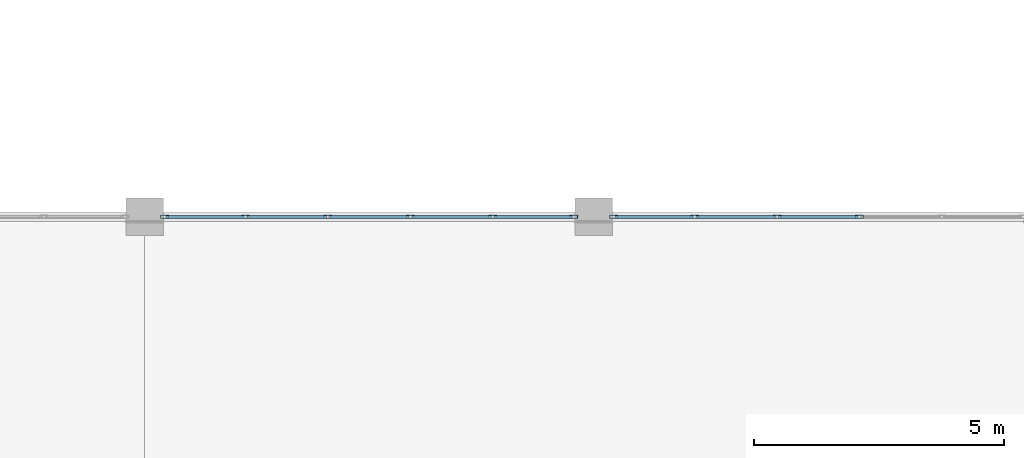
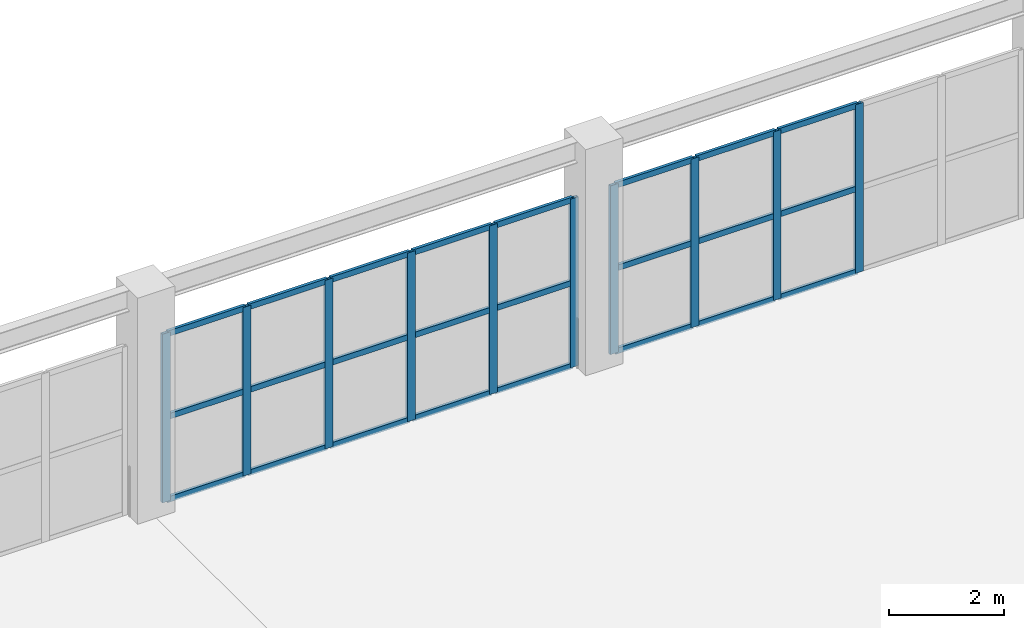
# One storey, part 47 of 89: 34 members, 2 elements without a shape of their own.
"""IFC4 building model written with IfcOpenShell, lengths in metres."""

from ifc_helpers import new_model, si_unit, direction, frame, origin, origin_2d, place, context, subcontext, project, spatial, hollow_rectangle, extrude, material, layer, layer_set, material_profile, profile_set, type_object, element, aggregate, save


model = new_model("IFC4")

# Units and contexts
model_context = context("Model", 3, precision=1e-05, world=origin(), true_north=direction((0.0, 1.0)))
body_context = subcontext(model_context, "Body", "Model", "MODEL_VIEW")
ifc_project = project(units=[si_unit("LENGTHUNIT", "METRE"), si_unit("AREAUNIT", "SQUARE_METRE"), si_unit("VOLUMEUNIT", "CUBIC_METRE"), si_unit("PLANEANGLEUNIT", "RADIAN"), si_unit("MASSUNIT", "GRAM", prefix="KILO")], contexts=[model_context])

# Site, building, storey
site_placement = place(None, origin())
site = spatial("IfcSite", under=ifc_project, at=site_placement, CompositionType="ELEMENT")
building_placement = place(site_placement, origin())
building = spatial("IfcBuilding", under=site, at=building_placement, Name="Dornveld Trade and Exhibition Forum", CompositionType="ELEMENT")
storey_placement = place(building_placement, frame((0.0, 0.0, 12.0)))
storey = spatial("IfcBuildingStorey", under=building, at=storey_placement, Name="L02", CompositionType="ELEMENT", Elevation=12.0)

# Curtain wall, members
ifc_material_1 = material(Name="Dark-bronze anodised aluminium and low-E glass", Category="aluminium")
ifc_layer_1 = layer(ifc_material_1, 0.166015625)
ifc_layer_set_1 = layer_set([ifc_layer_1], Name="Dark-bronze anodised aluminium and low-E glass")
curtain_wall_type_1 = type_object("IfcCurtainWallType", Name="CW-SYS-08", PredefinedType="USERDEFINED", material=ifc_layer_set_1)
curtain_wall_1_placement = place(storey_placement, origin())
curtain_wall_1 = element("IfcCurtainWall", 1, at=curtain_wall_1_placement, inside=storey, type_object=curtain_wall_type_1, Name="L02 unitised curtain wall 26", ObjectType="UNITISED_CURTAIN_WALL", PredefinedType="USERDEFINED")
ifc_material_2 = material(Name="Dark-bronze anodised aluminium", Category="aluminium")
ifc_material_profile_1 = material_profile(ifc_material_2, hollow_rectangle(XDim=0.06005859375, YDim=0.159912109375, WallThickness=0.00390625, at=origin_2d()), Name="RHS 160x60x4")
ifc_profile_set_1 = profile_set([ifc_material_profile_1], Name="Dark-bronze anodised aluminium")
member_type_1 = type_object("IfcMemberType", Name="CW-MUL-160", PredefinedType="MULLION", material=ifc_profile_set_1)
member_1_placement = place(storey_placement, frame((62.59912109375, 135.0, -0.00390625), z_axis=(0.0, 0.0, 1.0), x_axis=(0.0, -1.0, 0.0)))
member_1 = element("IfcMember", 2, at=member_1_placement, type_object=member_type_1, Name="CW-08 mullion 1", PredefinedType="MULLION", context=body_context, shape_type="SweptSolid", body=[
    extrude(hollow_rectangle(XDim=0.06005859375, YDim=0.159912109375, WallThickness=0.00390625, at=origin_2d()), origin(), (0.0, 0.0, 1.0), 3.583984375),
])
member_2_placement = place(storey_placement, frame((60.977294921875, 135.0, -0.00390625), z_axis=(0.0, 0.0, 1.0), x_axis=(0.0, -1.0, 0.0)))
member_2 = element("IfcMember", 3, at=member_2_placement, type_object=member_type_1, Name="CW-08 mullion 2", PredefinedType="MULLION", context=body_context, shape_type="SweptSolid", body=[
    extrude(hollow_rectangle(XDim=0.06005859375, YDim=0.159912109375, WallThickness=0.00390625, at=origin_2d()), origin(), (0.0, 0.0, 1.0), 3.583984375),
])
member_3_placement = place(storey_placement, frame((59.32568359375, 135.0, -0.00390625), z_axis=(0.0, 0.0, 1.0), x_axis=(0.0, -1.0, 0.0)))
member_3 = element("IfcMember", 4, at=member_3_placement, type_object=member_type_1, Name="CW-08 mullion 3", PredefinedType="MULLION", context=body_context, shape_type="SweptSolid", body=[
    extrude(hollow_rectangle(XDim=0.06005859375, YDim=0.159912109375, WallThickness=0.00390625, at=origin_2d()), origin(), (0.0, 0.0, 1.0), 3.583984375),
])
member_4_placement = place(storey_placement, frame((57.67431640625, 135.0, -0.00390625), z_axis=(0.0, 0.0, 1.0), x_axis=(0.0, -1.0, 0.0)))
member_4 = element("IfcMember", 5, at=member_4_placement, type_object=member_type_1, Name="CW-08 mullion 4", PredefinedType="MULLION", context=body_context, shape_type="SweptSolid", body=[
    extrude(hollow_rectangle(XDim=0.06005859375, YDim=0.159912109375, WallThickness=0.00390625, at=origin_2d()), origin(), (0.0, 0.0, 1.0), 3.583984375),
])
member_5_placement = place(storey_placement, frame((56.022705078125, 135.0, -0.00390625), z_axis=(0.0, 0.0, 1.0), x_axis=(0.0, -1.0, 0.0)))
member_5 = element("IfcMember", 6, at=member_5_placement, type_object=member_type_1, Name="CW-08 mullion 5", PredefinedType="MULLION", context=body_context, shape_type="SweptSolid", body=[
    extrude(hollow_rectangle(XDim=0.06005859375, YDim=0.159912109375, WallThickness=0.00390625, at=origin_2d()), origin(), (0.0, 0.0, 1.0), 3.583984375),
])
member_6_placement = place(storey_placement, frame((54.40087890625, 135.0, -0.00390625), z_axis=(0.0, 0.0, 1.0), x_axis=(0.0, -1.0, 0.0)))
member_6 = element("IfcMember", 7, at=member_6_placement, type_object=member_type_1, Name="CW-08 mullion 6", PredefinedType="MULLION", context=body_context, shape_type="SweptSolid", body=[
    extrude(hollow_rectangle(XDim=0.06005859375, YDim=0.159912109375, WallThickness=0.00390625, at=origin_2d()), origin(), (0.0, 0.0, 1.0), 3.583984375),
])

ifc_material_3 = material(Name="Dark-bronze anodised aluminium and low-E glass", Category="aluminium")
ifc_layer_2 = layer(ifc_material_3, 0.172119140625)
ifc_layer_set_2 = layer_set([ifc_layer_2], Name="Dark-bronze anodised aluminium and low-E glass")
curtain_wall_type_2 = type_object("IfcCurtainWallType", Name="CW-SYS-10", PredefinedType="USERDEFINED", material=ifc_layer_set_2)
curtain_wall_2_placement = place(storey_placement, origin())
curtain_wall_2 = element("IfcCurtainWall", 8, at=curtain_wall_2_placement, inside=storey, type_object=curtain_wall_type_2, Name="L02 unitised curtain wall 28", ObjectType="UNITISED_CURTAIN_WALL", PredefinedType="USERDEFINED")
member_7_placement = place(storey_placement, frame((68.32568359375, 135.0, -0.00390625), z_axis=(0.0, 0.0, 1.0), x_axis=(0.0, -1.0, 0.0)))
member_7 = element("IfcMember", 9, at=member_7_placement, type_object=member_type_1, Name="CW-10 mullion 3", PredefinedType="MULLION", context=body_context, shape_type="SweptSolid", body=[
    extrude(hollow_rectangle(XDim=0.06005859375, YDim=0.159912109375, WallThickness=0.00390625, at=origin_2d()), origin(), (0.0, 0.0, 1.0), 3.583984375),
])
member_8_placement = place(storey_placement, frame((66.67431640625, 135.0, -0.00390625), z_axis=(0.0, 0.0, 1.0), x_axis=(0.0, -1.0, 0.0)))
member_8 = element("IfcMember", 10, at=member_8_placement, type_object=member_type_1, Name="CW-10 mullion 4", PredefinedType="MULLION", context=body_context, shape_type="SweptSolid", body=[
    extrude(hollow_rectangle(XDim=0.06005859375, YDim=0.159912109375, WallThickness=0.00390625, at=origin_2d()), origin(), (0.0, 0.0, 1.0), 3.583984375),
])
member_9_placement = place(storey_placement, frame((65.022705078125, 135.0, -0.00390625), z_axis=(0.0, 0.0, 1.0), x_axis=(0.0, -1.0, 0.0)))
member_9 = element("IfcMember", 11, at=member_9_placement, type_object=member_type_1, Name="CW-10 mullion 5", PredefinedType="MULLION", context=body_context, shape_type="SweptSolid", body=[
    extrude(hollow_rectangle(XDim=0.06005859375, YDim=0.159912109375, WallThickness=0.00390625, at=origin_2d()), origin(), (0.0, 0.0, 1.0), 3.583984375),
])
member_10_placement = place(storey_placement, frame((63.40087890625, 135.0, -0.00390625), z_axis=(0.0, 0.0, 1.0), x_axis=(0.0, -1.0, 0.0)))
member_10 = element("IfcMember", 12, at=member_10_placement, type_object=member_type_1, Name="CW-10 mullion 6", PredefinedType="MULLION", context=body_context, shape_type="SweptSolid", body=[
    extrude(hollow_rectangle(XDim=0.06005859375, YDim=0.159912109375, WallThickness=0.00390625, at=origin_2d()), origin(), (0.0, 0.0, 1.0), 3.583984375),
])

# Member
ifc_material_4 = material(Name="Dark-bronze anodised aluminium", Category="aluminium")
ifc_material_profile_2 = material_profile(ifc_material_4, hollow_rectangle(XDim=0.06005859375, YDim=0.1201171875, WallThickness=0.00390625, at=origin_2d()), Name="RHS 120x60x4")
ifc_profile_set_2 = profile_set([ifc_material_profile_2], Name="Dark-bronze anodised aluminium")
member_type_2 = type_object("IfcMemberType", Name="CW-TRN-120", PredefinedType="USERDEFINED", material=ifc_profile_set_2)
member_11_placement = place(storey_placement, frame((62.569091796875, 135.0, 0.02587890625), z_axis=(-1.0, 0.0, 0.0), x_axis=(0.0, -1.0, 0.0)))
member_11 = element("IfcMember", 13, at=member_11_placement, type_object=member_type_2, Name="CW-08 transom 1.1", ObjectType="TRANSOM", PredefinedType="USERDEFINED", context=body_context, shape_type="SweptSolid", body=[
    extrude(hollow_rectangle(XDim=0.06005859375, YDim=0.1201171875, WallThickness=0.00390625, at=origin_2d()), origin(), (0.0, 0.0, 1.0), 1.561767578125),
])

member_12_placement = place(storey_placement, frame((62.569091796875, 135.0, 1.7880859375), z_axis=(-1.0, 0.0, 0.0), x_axis=(0.0, -1.0, 0.0)))
member_12 = element("IfcMember", 14, at=member_12_placement, type_object=member_type_2, Name="CW-08 transom 1.2", ObjectType="TRANSOM", PredefinedType="USERDEFINED", context=body_context, shape_type="SweptSolid", body=[
    extrude(hollow_rectangle(XDim=0.06005859375, YDim=0.1201171875, WallThickness=0.00390625, at=origin_2d()), origin(), (0.0, 0.0, 1.0), 1.561767578125),
])

member_13_placement = place(storey_placement, frame((62.569091796875, 135.0, 3.550048828125), z_axis=(-1.0, 0.0, 0.0), x_axis=(0.0, -1.0, 0.0)))
member_13 = element("IfcMember", 15, at=member_13_placement, type_object=member_type_2, Name="CW-08 transom 1.3", ObjectType="TRANSOM", PredefinedType="USERDEFINED", context=body_context, shape_type="SweptSolid", body=[
    extrude(hollow_rectangle(XDim=0.06005859375, YDim=0.1201171875, WallThickness=0.00390625, at=origin_2d()), origin(), (0.0, 0.0, 1.0), 1.561767578125),
])

member_14_placement = place(storey_placement, frame((60.947509765625, 135.0, 0.02587890625), z_axis=(-1.0, 0.0, 0.0), x_axis=(0.0, -1.0, 0.0)))
member_14 = element("IfcMember", 16, at=member_14_placement, type_object=member_type_2, Name="CW-08 transom 2.1", ObjectType="TRANSOM", PredefinedType="USERDEFINED", context=body_context, shape_type="SweptSolid", body=[
    extrude(hollow_rectangle(XDim=0.06005859375, YDim=0.1201171875, WallThickness=0.00390625, at=origin_2d()), origin(), (0.0, 0.0, 1.0), 1.591796875),
])

member_15_placement = place(storey_placement, frame((60.947509765625, 135.0, 1.7880859375), z_axis=(-1.0, 0.0, 0.0), x_axis=(0.0, -1.0, 0.0)))
member_15 = element("IfcMember", 17, at=member_15_placement, type_object=member_type_2, Name="CW-08 transom 2.2", ObjectType="TRANSOM", PredefinedType="USERDEFINED", context=body_context, shape_type="SweptSolid", body=[
    extrude(hollow_rectangle(XDim=0.06005859375, YDim=0.1201171875, WallThickness=0.00390625, at=origin_2d()), origin(), (0.0, 0.0, 1.0), 1.591796875),
])

member_16_placement = place(storey_placement, frame((60.947509765625, 135.0, 3.550048828125), z_axis=(-1.0, 0.0, 0.0), x_axis=(0.0, -1.0, 0.0)))
member_16 = element("IfcMember", 18, at=member_16_placement, type_object=member_type_2, Name="CW-08 transom 2.3", ObjectType="TRANSOM", PredefinedType="USERDEFINED", context=body_context, shape_type="SweptSolid", body=[
    extrude(hollow_rectangle(XDim=0.06005859375, YDim=0.1201171875, WallThickness=0.00390625, at=origin_2d()), origin(), (0.0, 0.0, 1.0), 1.591796875),
])

member_17_placement = place(storey_placement, frame((59.2958984375, 135.0, 0.02587890625), z_axis=(-1.0, 0.0, 0.0), x_axis=(0.0, -1.0, 0.0)))
member_17 = element("IfcMember", 19, at=member_17_placement, type_object=member_type_2, Name="CW-08 transom 3.1", ObjectType="TRANSOM", PredefinedType="USERDEFINED", context=body_context, shape_type="SweptSolid", body=[
    extrude(hollow_rectangle(XDim=0.06005859375, YDim=0.1201171875, WallThickness=0.00390625, at=origin_2d()), origin(), (0.0, 0.0, 1.0), 1.591796875),
])

member_18_placement = place(storey_placement, frame((59.2958984375, 135.0, 1.7880859375), z_axis=(-1.0, 0.0, 0.0), x_axis=(0.0, -1.0, 0.0)))
member_18 = element("IfcMember", 20, at=member_18_placement, type_object=member_type_2, Name="CW-08 transom 3.2", ObjectType="TRANSOM", PredefinedType="USERDEFINED", context=body_context, shape_type="SweptSolid", body=[
    extrude(hollow_rectangle(XDim=0.06005859375, YDim=0.1201171875, WallThickness=0.00390625, at=origin_2d()), origin(), (0.0, 0.0, 1.0), 1.591796875),
])

member_19_placement = place(storey_placement, frame((59.2958984375, 135.0, 3.550048828125), z_axis=(-1.0, 0.0, 0.0), x_axis=(0.0, -1.0, 0.0)))
member_19 = element("IfcMember", 21, at=member_19_placement, type_object=member_type_2, Name="CW-08 transom 3.3", ObjectType="TRANSOM", PredefinedType="USERDEFINED", context=body_context, shape_type="SweptSolid", body=[
    extrude(hollow_rectangle(XDim=0.06005859375, YDim=0.1201171875, WallThickness=0.00390625, at=origin_2d()), origin(), (0.0, 0.0, 1.0), 1.591796875),
])

member_20_placement = place(storey_placement, frame((57.644287109375, 135.0, 0.02587890625), z_axis=(-1.0, 0.0, 0.0), x_axis=(0.0, -1.0, 0.0)))
member_20 = element("IfcMember", 22, at=member_20_placement, type_object=member_type_2, Name="CW-08 transom 4.1", ObjectType="TRANSOM", PredefinedType="USERDEFINED", context=body_context, shape_type="SweptSolid", body=[
    extrude(hollow_rectangle(XDim=0.06005859375, YDim=0.1201171875, WallThickness=0.00390625, at=origin_2d()), origin(), (0.0, 0.0, 1.0), 1.591796875),
])

member_21_placement = place(storey_placement, frame((57.644287109375, 135.0, 1.7880859375), z_axis=(-1.0, 0.0, 0.0), x_axis=(0.0, -1.0, 0.0)))
member_21 = element("IfcMember", 23, at=member_21_placement, type_object=member_type_2, Name="CW-08 transom 4.2", ObjectType="TRANSOM", PredefinedType="USERDEFINED", context=body_context, shape_type="SweptSolid", body=[
    extrude(hollow_rectangle(XDim=0.06005859375, YDim=0.1201171875, WallThickness=0.00390625, at=origin_2d()), origin(), (0.0, 0.0, 1.0), 1.591796875),
])

member_22_placement = place(storey_placement, frame((57.644287109375, 135.0, 3.550048828125), z_axis=(-1.0, 0.0, 0.0), x_axis=(0.0, -1.0, 0.0)))
member_22 = element("IfcMember", 24, at=member_22_placement, type_object=member_type_2, Name="CW-08 transom 4.3", ObjectType="TRANSOM", PredefinedType="USERDEFINED", context=body_context, shape_type="SweptSolid", body=[
    extrude(hollow_rectangle(XDim=0.06005859375, YDim=0.1201171875, WallThickness=0.00390625, at=origin_2d()), origin(), (0.0, 0.0, 1.0), 1.591796875),
])

member_23_placement = place(storey_placement, frame((55.99267578125, 135.0, 0.02587890625), z_axis=(-1.0, 0.0, 0.0), x_axis=(0.0, -1.0, 0.0)))
member_23 = element("IfcMember", 25, at=member_23_placement, type_object=member_type_2, Name="CW-08 transom 5.1", ObjectType="TRANSOM", PredefinedType="USERDEFINED", context=body_context, shape_type="SweptSolid", body=[
    extrude(hollow_rectangle(XDim=0.06005859375, YDim=0.1201171875, WallThickness=0.00390625, at=origin_2d()), origin(), (0.0, 0.0, 1.0), 1.561767578125),
])

member_24_placement = place(storey_placement, frame((55.99267578125, 135.0, 1.7880859375), z_axis=(-1.0, 0.0, 0.0), x_axis=(0.0, -1.0, 0.0)))
member_24 = element("IfcMember", 26, at=member_24_placement, type_object=member_type_2, Name="CW-08 transom 5.2", ObjectType="TRANSOM", PredefinedType="USERDEFINED", context=body_context, shape_type="SweptSolid", body=[
    extrude(hollow_rectangle(XDim=0.06005859375, YDim=0.1201171875, WallThickness=0.00390625, at=origin_2d()), origin(), (0.0, 0.0, 1.0), 1.561767578125),
])

member_25_placement = place(storey_placement, frame((55.99267578125, 135.0, 3.550048828125), z_axis=(-1.0, 0.0, 0.0), x_axis=(0.0, -1.0, 0.0)))
member_25 = element("IfcMember", 27, at=member_25_placement, type_object=member_type_2, Name="CW-08 transom 5.3", ObjectType="TRANSOM", PredefinedType="USERDEFINED", context=body_context, shape_type="SweptSolid", body=[
    extrude(hollow_rectangle(XDim=0.06005859375, YDim=0.1201171875, WallThickness=0.00390625, at=origin_2d()), origin(), (0.0, 0.0, 1.0), 1.561767578125),
])

aggregate(curtain_wall_1, [member_1, member_2, member_3, member_4, member_5, member_6, member_11, member_12, member_13, member_14, member_15, member_16, member_17, member_18, member_19, member_20, member_21, member_22, member_23, member_24, member_25])

member_26_placement = place(storey_placement, frame((68.2958984375, 135.0, 0.02587890625), z_axis=(-1.0, 0.0, 0.0), x_axis=(0.0, -1.0, 0.0)))
member_26 = element("IfcMember", 28, at=member_26_placement, type_object=member_type_2, Name="CW-10 transom 3.1", ObjectType="TRANSOM", PredefinedType="USERDEFINED", context=body_context, shape_type="SweptSolid", body=[
    extrude(hollow_rectangle(XDim=0.06005859375, YDim=0.1201171875, WallThickness=0.00390625, at=origin_2d()), origin(), (0.0, 0.0, 1.0), 1.591796875),
])

member_27_placement = place(storey_placement, frame((68.2958984375, 135.0, 1.7880859375), z_axis=(-1.0, 0.0, 0.0), x_axis=(0.0, -1.0, 0.0)))
member_27 = element("IfcMember", 29, at=member_27_placement, type_object=member_type_2, Name="CW-10 transom 3.2", ObjectType="TRANSOM", PredefinedType="USERDEFINED", context=body_context, shape_type="SweptSolid", body=[
    extrude(hollow_rectangle(XDim=0.06005859375, YDim=0.1201171875, WallThickness=0.00390625, at=origin_2d()), origin(), (0.0, 0.0, 1.0), 1.591796875),
])

member_28_placement = place(storey_placement, frame((68.2958984375, 135.0, 3.550048828125), z_axis=(-1.0, 0.0, 0.0), x_axis=(0.0, -1.0, 0.0)))
member_28 = element("IfcMember", 30, at=member_28_placement, type_object=member_type_2, Name="CW-10 transom 3.3", ObjectType="TRANSOM", PredefinedType="USERDEFINED", context=body_context, shape_type="SweptSolid", body=[
    extrude(hollow_rectangle(XDim=0.06005859375, YDim=0.1201171875, WallThickness=0.00390625, at=origin_2d()), origin(), (0.0, 0.0, 1.0), 1.591796875),
])

member_29_placement = place(storey_placement, frame((66.644287109375, 135.0, 0.02587890625), z_axis=(-1.0, 0.0, 0.0), x_axis=(0.0, -1.0, 0.0)))
member_29 = element("IfcMember", 31, at=member_29_placement, type_object=member_type_2, Name="CW-10 transom 4.1", ObjectType="TRANSOM", PredefinedType="USERDEFINED", context=body_context, shape_type="SweptSolid", body=[
    extrude(hollow_rectangle(XDim=0.06005859375, YDim=0.1201171875, WallThickness=0.00390625, at=origin_2d()), origin(), (0.0, 0.0, 1.0), 1.591796875),
])

member_30_placement = place(storey_placement, frame((66.644287109375, 135.0, 1.7880859375), z_axis=(-1.0, 0.0, 0.0), x_axis=(0.0, -1.0, 0.0)))
member_30 = element("IfcMember", 32, at=member_30_placement, type_object=member_type_2, Name="CW-10 transom 4.2", ObjectType="TRANSOM", PredefinedType="USERDEFINED", context=body_context, shape_type="SweptSolid", body=[
    extrude(hollow_rectangle(XDim=0.06005859375, YDim=0.1201171875, WallThickness=0.00390625, at=origin_2d()), origin(), (0.0, 0.0, 1.0), 1.591796875),
])

member_31_placement = place(storey_placement, frame((66.644287109375, 135.0, 3.550048828125), z_axis=(-1.0, 0.0, 0.0), x_axis=(0.0, -1.0, 0.0)))
member_31 = element("IfcMember", 33, at=member_31_placement, type_object=member_type_2, Name="CW-10 transom 4.3", ObjectType="TRANSOM", PredefinedType="USERDEFINED", context=body_context, shape_type="SweptSolid", body=[
    extrude(hollow_rectangle(XDim=0.06005859375, YDim=0.1201171875, WallThickness=0.00390625, at=origin_2d()), origin(), (0.0, 0.0, 1.0), 1.591796875),
])

member_32_placement = place(storey_placement, frame((64.99267578125, 135.0, 0.02587890625), z_axis=(-1.0, 0.0, 0.0), x_axis=(0.0, -1.0, 0.0)))
member_32 = element("IfcMember", 34, at=member_32_placement, type_object=member_type_2, Name="CW-10 transom 5.1", ObjectType="TRANSOM", PredefinedType="USERDEFINED", context=body_context, shape_type="SweptSolid", body=[
    extrude(hollow_rectangle(XDim=0.06005859375, YDim=0.1201171875, WallThickness=0.00390625, at=origin_2d()), origin(), (0.0, 0.0, 1.0), 1.561767578125),
])

member_33_placement = place(storey_placement, frame((64.99267578125, 135.0, 1.7880859375), z_axis=(-1.0, 0.0, 0.0), x_axis=(0.0, -1.0, 0.0)))
member_33 = element("IfcMember", 35, at=member_33_placement, type_object=member_type_2, Name="CW-10 transom 5.2", ObjectType="TRANSOM", PredefinedType="USERDEFINED", context=body_context, shape_type="SweptSolid", body=[
    extrude(hollow_rectangle(XDim=0.06005859375, YDim=0.1201171875, WallThickness=0.00390625, at=origin_2d()), origin(), (0.0, 0.0, 1.0), 1.561767578125),
])

member_34_placement = place(storey_placement, frame((64.99267578125, 135.0, 3.550048828125), z_axis=(-1.0, 0.0, 0.0), x_axis=(0.0, -1.0, 0.0)))
member_34 = element("IfcMember", 36, at=member_34_placement, type_object=member_type_2, Name="CW-10 transom 5.3", ObjectType="TRANSOM", PredefinedType="USERDEFINED", context=body_context, shape_type="SweptSolid", body=[
    extrude(hollow_rectangle(XDim=0.06005859375, YDim=0.1201171875, WallThickness=0.00390625, at=origin_2d()), origin(), (0.0, 0.0, 1.0), 1.561767578125),
])

aggregate(curtain_wall_2, [member_7, member_8, member_9, member_10, member_26, member_27, member_28, member_29, member_30, member_31, member_32, member_33, member_34])

save(model, "model.ifc")
